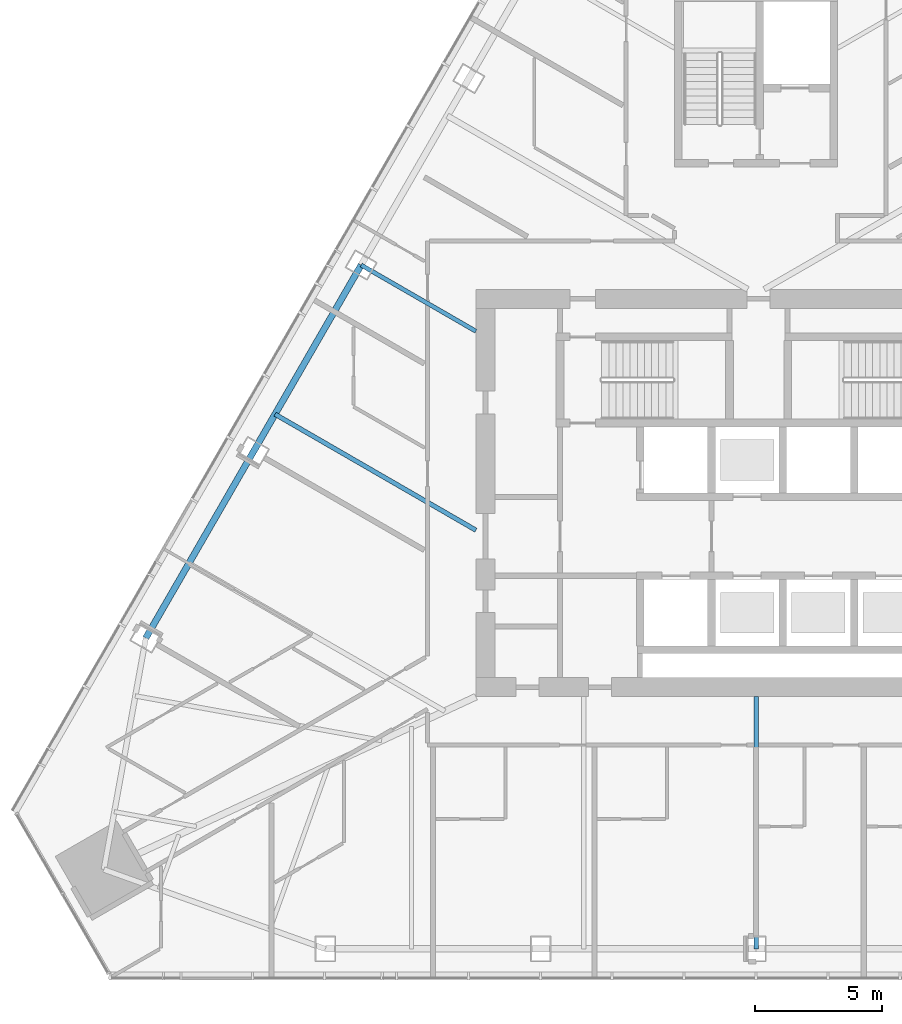
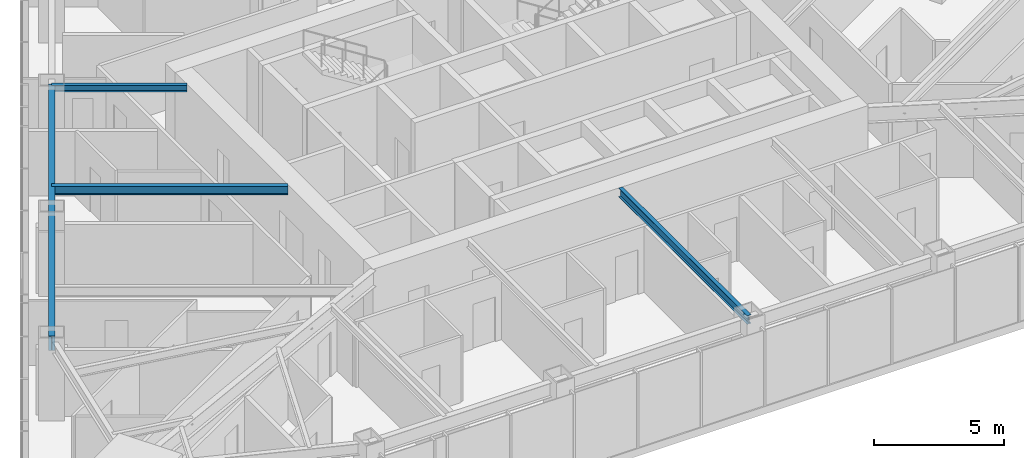
# One storey, part 4 of 20: 4 beams.
"""IFC4 building model written with IfcOpenShell, lengths in metres."""

from ifc_helpers import new_model, si_unit, direction, frame, origin, origin_2d, place, context, subcontext, project, spatial, i_section, extrude, material, material_profile, profile_set, type_object, element, save


model = new_model("IFC4")

# Units and contexts
model_context = context("Model", 3, precision=1e-05, world=origin(), true_north=direction((0.0, 1.0)))
body_context = subcontext(model_context, "Body", "Model", "MODEL_VIEW")
ifc_project = project(units=[si_unit("LENGTHUNIT", "METRE"), si_unit("AREAUNIT", "SQUARE_METRE"), si_unit("VOLUMEUNIT", "CUBIC_METRE"), si_unit("PLANEANGLEUNIT", "RADIAN"), si_unit("MASSUNIT", "GRAM", prefix="KILO")], contexts=[model_context])

# Site, building, storey
site_placement = place(None, origin())
site = spatial("IfcSite", under=ifc_project, at=site_placement, CompositionType="ELEMENT")
building_placement = place(site_placement, origin())
building = spatial("IfcBuilding", under=site, at=building_placement, Name="Firuza Gate Tower and Library", CompositionType="ELEMENT")
storey_placement = place(building_placement, frame((0.0, 0.0, 214.300048828125)))
storey = spatial("IfcBuildingStorey", under=building, at=storey_placement, Name="L50", CompositionType="ELEMENT", Elevation=214.300048828125)

# Beams
ifc_material_1 = material(Name="Steel S355", Category="steel")
ifc_material_profile_1 = material_profile(ifc_material_1, i_section(OverallWidth=0.1650390625, OverallDepth=0.31005859375, WebThickness=0.005859375, FlangeThickness=0.009765625, at=origin_2d()))
ifc_profile_set_1 = profile_set([ifc_material_profile_1], Name="Steel S355")
beam_type_1 = type_object("IfcBeamType", Name="W310x39 Floor beam", PredefinedType="JOIST", material=ifc_profile_set_1)
beam_1_placement = place(storey_placement, frame((59.495849609375, 83.951171875, 3.544921875), z_axis=(0.866036280653, -0.499981160238, 0.0), x_axis=(0.499981160238, 0.866036280653, 0.0)))
element("IfcBeam", 1, at=beam_1_placement, inside=storey, type_object=beam_type_1, Name="Floor beam L50 s82", PredefinedType="JOIST", context=body_context, shape_type="SweptSolid", body=[
    extrude(i_section(OverallWidth=0.1650390625, OverallDepth=0.31005859375, WebThickness=0.005859375, FlangeThickness=0.009765625, at=origin_2d()), origin(), (0.0, 0.0, 1.0), 5.200927734375),
])
ifc_material_2 = material(Name="Steel S355", Category="steel")
ifc_material_profile_2 = material_profile(ifc_material_2, i_section(OverallWidth=0.177978515625, OverallDepth=0.406982421875, WebThickness=0.0078125, FlangeThickness=0.0126953125, at=origin_2d()))
ifc_profile_set_2 = profile_set([ifc_material_profile_2], Name="Steel S355")
beam_type_2 = type_object("IfcBeamType", Name="W410x60 Floor beam", PredefinedType="JOIST", material=ifc_profile_set_2)
beam_2_placement = place(storey_placement, frame((75.0, 57.097412109375, 3.496337890625), z_axis=(0.0, 1.0, 0.0), x_axis=(-1.0, 0.0, 0.0)))
element("IfcBeam", 2, at=beam_2_placement, inside=storey, type_object=beam_type_2, Name="Floor beam L50 s22", PredefinedType="JOIST", context=body_context, shape_type="SweptSolid", body=[
    extrude(i_section(OverallWidth=0.177978515625, OverallDepth=0.406982421875, WebThickness=0.0078125, FlangeThickness=0.0126953125, at=origin_2d()), origin(), (0.0, 0.0, 1.0), 9.902587890625),
])
beam_3_placement = place(storey_placement, frame((56.11376953125, 78.093017578125, 3.496337890625), z_axis=(0.86602039319, -0.500008678503, 0.0), x_axis=(0.500008678503, 0.86602039319, 0.0)))
element("IfcBeam", 3, at=beam_3_placement, inside=storey, type_object=beam_type_2, Name="Floor beam L50 s83", PredefinedType="JOIST", context=body_context, shape_type="SweptSolid", body=[
    extrude(i_section(OverallWidth=0.177978515625, OverallDepth=0.406982421875, WebThickness=0.0078125, FlangeThickness=0.0126953125, at=origin_2d()), origin(), (0.0, 0.0, 1.0), 9.106201171875),
])
ifc_material_3 = material(Name="Steel S355", Category="steel")
ifc_material_profile_3 = material_profile(ifc_material_3, i_section(OverallWidth=0.2529296875, OverallDepth=0.677978515625, WebThickness=0.01171875, FlangeThickness=0.016357421875, at=origin_2d()))
ifc_profile_set_3 = profile_set([ifc_material_profile_3], Name="Steel S355")
beam_type_3 = type_object("IfcBeamType", Name="W690x125 Edge beam", PredefinedType="SPANDREL", material=ifc_profile_set_3)
beam_4_placement = place(storey_placement, frame((59.495849609375, 83.951171875, 3.36083984375), z_axis=(-0.499999047742, -0.86602595357, 0.0), x_axis=(0.86602595357, -0.499999047742, 0.0)))
element("IfcBeam", 4, at=beam_4_placement, inside=storey, type_object=beam_type_3, Name="Edge beam L50 e82", PredefinedType="SPANDREL", context=body_context, shape_type="SweptSolid", body=[
    extrude(i_section(OverallWidth=0.2529296875, OverallDepth=0.677978515625, WebThickness=0.01171875, FlangeThickness=0.016357421875, at=origin_2d()), origin(), (0.0, 0.0, 1.0), 16.9111328125),
])

save(model, "model.ifc")
